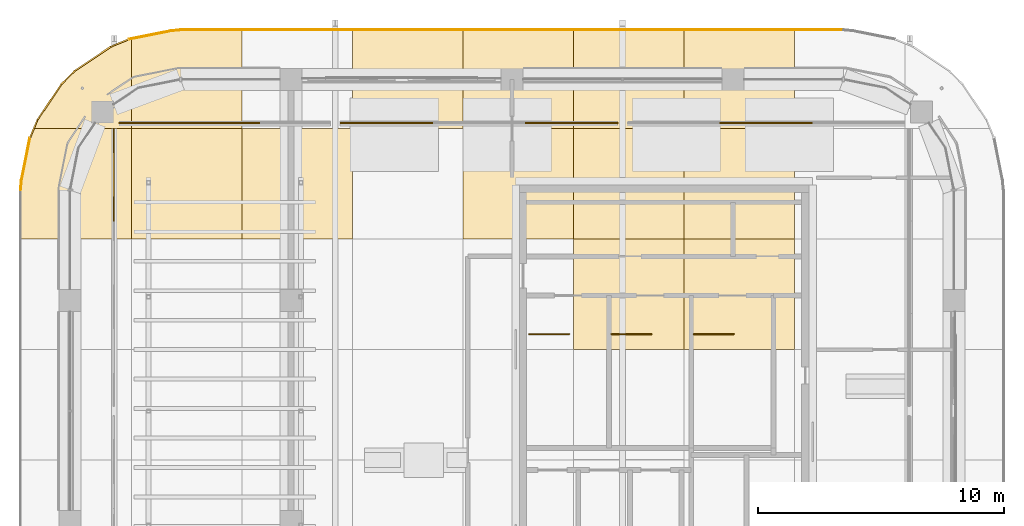
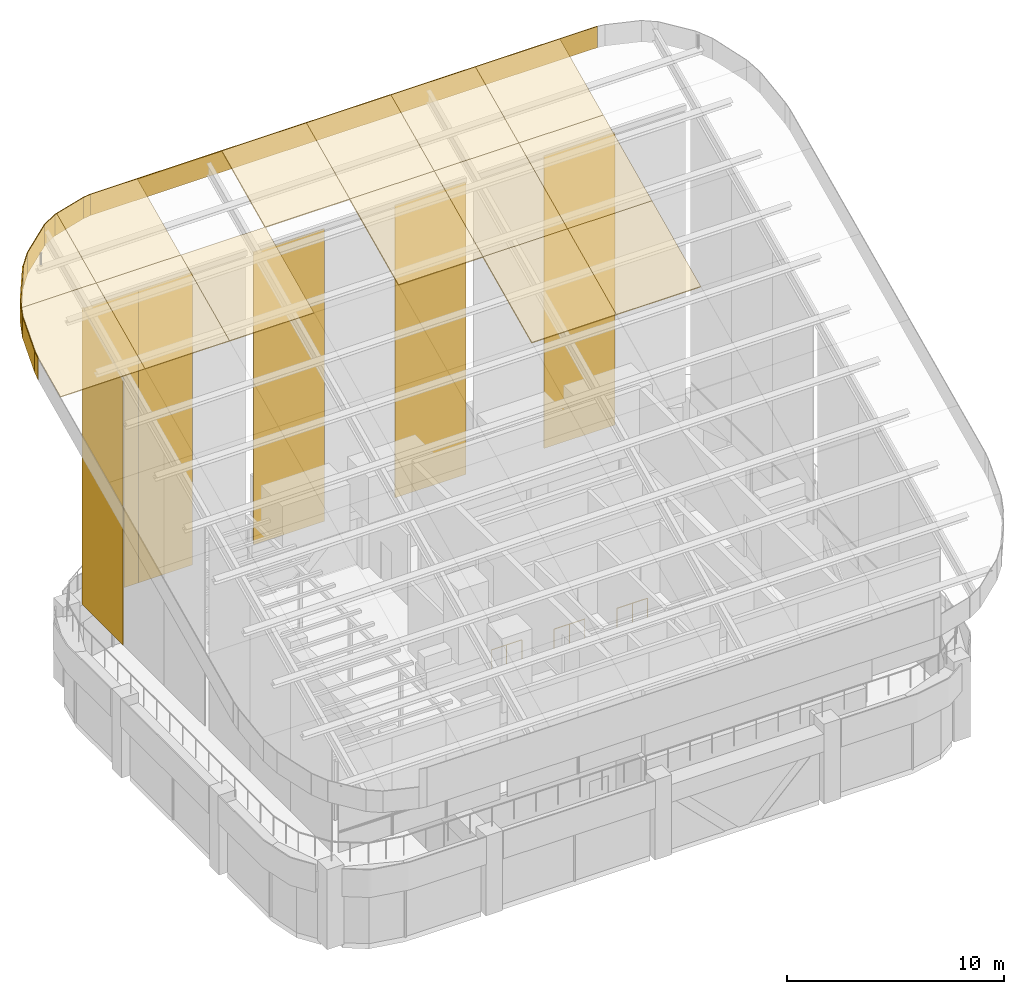
# One storey, part 30 of 31: 30 coverings, 3 railings.
"""IFC4 building model written with IfcOpenShell, lengths in metres."""

import ifcopenshell
import ifcopenshell.guid

model = None  # the IFC model being written
_history = None  # IfcOwnerHistory: only IFC2X3 demands one
_inside = {}  # id of a spatial element -> (the spatial element, [elements in it])
_under = {}  # id of a project, library or spatial element -> (it, [spatial elements below it])
_declared = {}  # id of a project -> (the project, [libraries it declares])
_typed = {}  # id of a type object -> (the type object, [elements of that type])
_made_of = {}  # id of a material, layer set ... -> (it, [elements and type objects made of it])


def new_model(schema):
    """Start an empty IFC model of exactly this schema.

    Asked for "IFC4X3", IfcOpenShell would pick the latest addendum, in which some entities
    have other attributes; the version numbers below select the first issue.
    IFC2X3 requires an IfcOwnerHistory on every rooted entity: one is made here for all.
    """
    global model, _history
    if schema == "IFC4X3":
        model = ifcopenshell.file(schema_version=(4, 3, 0, 0))
    else:
        model = ifcopenshell.file(schema=schema)
    _inside.clear()
    _under.clear()
    _declared.clear()
    _typed.clear()
    _made_of.clear()
    _history = None
    if model.schema == "IFC2X3":
        org = make("IfcOrganization", Name="unknown")
        user = make(
            "IfcPersonAndOrganization",
            ThePerson=make("IfcPerson", FamilyName="unknown"),
            TheOrganization=org,
        )
        app = make(
            "IfcApplication",
            ApplicationDeveloper=org,
            Version="unknown",
            ApplicationFullName="unknown",
            ApplicationIdentifier="unknown",
        )
        _history = make(
            "IfcOwnerHistory",
            OwningUser=user,
            OwningApplication=app,
            ChangeAction="ADDED",
            CreationDate=0,
        )
    return model


def make(cls, **values):
    """One entity of the class cls with the attributes given. An attribute that is None is left unset."""
    return model.create_entity(
        cls, **{name: value for name, value in values.items() if value is not None}
    )


def rooted(cls, **values):
    """An entity with a GlobalId (a new one), such as an element, a storey or a relation."""
    return make(cls, GlobalId=ifcopenshell.guid.new(), OwnerHistory=_history, **values)


def si_unit(unit_type, name, prefix=None):
    """IfcSIUnit, for example si_unit("LENGTHUNIT", "METRE", prefix="MILLI")."""
    return make("IfcSIUnit", UnitType=unit_type, Prefix=prefix, Name=name)


def assignment(units):
    """IfcUnitAssignment: the units of a project."""
    return None if units is None else make("IfcUnitAssignment", Units=units)


def point(xyz):
    """IfcCartesianPoint."""
    return None if xyz is None else make("IfcCartesianPoint", Coordinates=xyz)


def direction(xyz):
    """IfcDirection."""
    return None if xyz is None else make("IfcDirection", DirectionRatios=xyz)


def frame(location, z_axis=None, x_axis=None):
    """IfcAxis2Placement3D, a coordinate frame: its origin and axes. An axis left out is left unset."""
    return make(
        "IfcAxis2Placement3D",
        Location=point(location),
        Axis=direction(z_axis),
        RefDirection=direction(x_axis),
    )


def frame_2d(location, x_axis=None):
    """IfcAxis2Placement2D, a coordinate frame in the plane: its origin and x axis."""
    return make(
        "IfcAxis2Placement2D", Location=point(location), RefDirection=direction(x_axis)
    )


def origin():
    """The frame at (0, 0, 0) with its axes left unset."""
    return frame((0.0, 0.0, 0.0))


def origin_2d():
    """The frame at (0, 0) in the plane with its x axis left unset."""
    return frame_2d((0.0, 0.0))


def place(relative_to, where):
    """IfcLocalPlacement: puts the frame where relative to a parent placement (None: the world)."""
    return make(
        "IfcLocalPlacement", PlacementRelTo=relative_to, RelativePlacement=where
    )


def context(
    kind, dimensions, precision=None, world=None, true_north=None, identifier=None
):
    """IfcGeometricRepresentationContext, for example the 3D "Model" context."""
    return make(
        "IfcGeometricRepresentationContext",
        ContextIdentifier=identifier,
        ContextType=kind,
        CoordinateSpaceDimension=dimensions,
        Precision=precision,
        WorldCoordinateSystem=world,
        TrueNorth=true_north,
    )


def subcontext(parent, identifier, kind, view, scale=None):
    """IfcGeometricRepresentationSubContext, for example "Body" below "Model"."""
    return make(
        "IfcGeometricRepresentationSubContext",
        ContextIdentifier=identifier,
        ContextType=kind,
        ParentContext=parent,
        TargetScale=scale,
        TargetView=view,
    )


def project(units=None, contexts=None):
    """IfcProject with its units and contexts."""
    return rooted(
        "IfcProject",
        Name="project",
        RepresentationContexts=contexts,
        UnitsInContext=assignment(units),
    )


def spatial(cls, under=None, at=None, **own):
    """A site, building, storey or space (cls), placed at a placement, below another one or the project."""
    s = rooted(cls, ObjectPlacement=at, **own)
    if under is not None:
        _under.setdefault(under.id(), (under, []))[1].append(s)
    return s


def polyline(points):
    """IfcPolyline through the points."""
    return make("IfcPolyline", Points=[point(p) for p in points])


def profile(cls, at=None, kind="AREA", **sizes):
    """A parametric profile (cls). Its sizes go by their IFC names, for example OverallWidth=200.0."""
    return make(cls, ProfileType=kind, Position=at, **sizes)


def circle(**sizes):
    """IfcCircleProfileDef."""
    return profile("IfcCircleProfileDef", **sizes)


def outline(outer, holes=None, kind="AREA"):
    """IfcArbitraryClosedProfileDef: a profile drawn as a closed curve; with holes, ...WithVoids."""
    if holes is None:
        return make("IfcArbitraryClosedProfileDef", ProfileType=kind, OuterCurve=outer)
    return make(
        "IfcArbitraryProfileDefWithVoids",
        ProfileType=kind,
        OuterCurve=outer,
        InnerCurves=holes,
    )


def extrude(swept, where, along, depth):
    """IfcExtrudedAreaSolid: the profile swept, set in the frame where, extruded along a direction by depth."""
    return make(
        "IfcExtrudedAreaSolid",
        SweptArea=swept,
        Position=where,
        ExtrudedDirection=direction(along),
        Depth=depth,
    )


def shape(context_of_items, identifier, shape_type, items):
    """IfcShapeRepresentation: the items that make up one representation, for example the "Body"."""
    return make(
        "IfcShapeRepresentation",
        ContextOfItems=context_of_items,
        RepresentationIdentifier=identifier,
        RepresentationType=shape_type,
        Items=items,
    )


def material(Name=None, Category=None):
    """IfcMaterial."""
    return make("IfcMaterial", Name=Name, Category=Category)


def layer(
    of_material, thickness, ventilated=None, Name=None, Category=None, Priority=None
):
    """IfcMaterialLayer: one layer of a wall or slab, of a material (None: an air gap)."""
    return make(
        "IfcMaterialLayer",
        Material=of_material,
        LayerThickness=thickness,
        IsVentilated=ventilated,
        Name=Name,
        Category=Category,
        Priority=Priority,
    )


def layer_set(layers, Name=None):
    """IfcMaterialLayerSet."""
    return make("IfcMaterialLayerSet", MaterialLayers=layers, LayerSetName=Name)


def made_of(thing, what):
    """Note that an element or type object is made of a material, layer set ...; save() writes the relation."""
    if what is not None:
        _made_of.setdefault(what.id(), (what, []))[1].append(thing)
    return thing


def type_object(cls, material=None, **own):
    """A type object (cls), such as IfcWallType, which elements share."""
    return made_of(rooted(cls, **own), material)


def element(
    cls,
    number,
    at=None,
    inside=None,
    cuts=None,
    type_object=None,
    material=None,
    context=None,
    identifier="Body",
    shape_type=None,
    held_by="IfcProductDefinitionShape",
    body=None,
    shapes=None,
    **own,
):
    """One element of the class cls, such as IfcWall. Its Tag is "e" and its number.

    at: its placement. inside: the storey or other place that contains it. cuts: it is an
    opening in that element (IfcRelVoidsElement). A single representation is given by context,
    identifier, shape_type and body (its items); several are given by shapes. held_by: the class
    of the entity that holds the representations. save() writes the other relations.
    """
    e = rooted(cls, Tag="e%d" % number, ObjectPlacement=at, **own)
    if body is not None:
        shapes = [shape(context, identifier, shape_type, body)]
    if shapes is not None:
        e.Representation = make(held_by, Representations=shapes)
    if inside is not None:
        _inside.setdefault(inside.id(), (inside, []))[1].append(e)
    if cuts is not None:
        rooted(
            "IfcRelVoidsElement", RelatingBuildingElement=cuts, RelatedOpeningElement=e
        )
    if type_object is not None:
        _typed.setdefault(type_object.id(), (type_object, []))[1].append(e)
    return made_of(e, material)


def aggregate(whole, parts):
    """IfcRelAggregates: a whole, such as a stair, and the parts it consists of."""
    return rooted("IfcRelAggregates", RelatingObject=whole, RelatedObjects=parts)


def save(model, path):
    """Write the relations noted so far, then the file.

    IfcRelAggregates (storeys below a building ...), IfcRelContainedInSpatialStructure (elements
    in a storey), IfcRelDefinesByType, IfcRelAssociatesMaterial and IfcRelDeclares: one each for
    every whole, place, type object, material and project.
    """
    for whole, parts in _under.values():
        aggregate(whole, parts)
    for where, things in _inside.values():
        rooted(
            "IfcRelContainedInSpatialStructure",
            RelatedElements=things,
            RelatingStructure=where,
        )
    for kind, things in _typed.values():
        rooted("IfcRelDefinesByType", RelatedObjects=things, RelatingType=kind)
    for what, things in _made_of.values():
        rooted("IfcRelAssociatesMaterial", RelatedObjects=things, RelatingMaterial=what)
    for by, libraries in _declared.values():
        rooted("IfcRelDeclares", RelatingContext=by, RelatedDefinitions=libraries)
    model.write(path)


model = new_model("IFC4")

# Units and contexts
model_context = context("Model", 3, precision=1e-05, world=origin(), true_north=direction((0.0, 1.0)))
body_context = subcontext(model_context, "Body", "Model", "MODEL_VIEW")
ifc_project = project(units=[si_unit("LENGTHUNIT", "METRE"), si_unit("AREAUNIT", "SQUARE_METRE"), si_unit("VOLUMEUNIT", "CUBIC_METRE"), si_unit("PLANEANGLEUNIT", "RADIAN"), si_unit("MASSUNIT", "GRAM", prefix="KILO")], contexts=[model_context])

# Site, building, storey
site_placement = place(None, origin())
site = spatial("IfcSite", under=ifc_project, at=site_placement, CompositionType="ELEMENT")
building_placement = place(site_placement, origin())
building = spatial("IfcBuilding", under=site, at=building_placement, Name="Tessera Arch", CompositionType="ELEMENT")
storey_placement = place(building_placement, frame((0.0, 0.0, 320.699951171875)))
storey = spatial("IfcBuildingStorey", under=building, at=storey_placement, Name="L77", CompositionType="ELEMENT", Elevation=320.699951171875)

# Coverings
ifc_material_1 = material(Name="Aluminium cladding pale metal anodised", Category="aluminium")
ifc_layer_1 = layer(ifc_material_1, 0.0400390625)
ifc_layer_set_1 = layer_set([ifc_layer_1], Name="Canopy fascia pale metal")
covering_type_1 = type_object("IfcCoveringType", Name="Canopy fascia pale metal", PredefinedType="CLADDING", material=ifc_layer_set_1)
covering_1_placement = place(storey_placement, frame((49.5, 56.0, 24.199951171875), z_axis=(0.0, -1.0, 0.0), x_axis=(-1.0, 0.0, 0.0)))
element("IfcCovering", 1, at=covering_1_placement, inside=storey, type_object=covering_type_1, Name="CANOPY fascia 11", PredefinedType="CLADDING", context=body_context, shape_type="SweptSolid", body=[
    extrude(outline(polyline([(0.0, 0.0), (27.0, 0.0), (27.0, 1.199951171875), (0.0, 1.199951171875), (0.0, 0.0)])), origin(), (0.0, 0.0, -1.0), 0.0400390625),
])
covering_2_placement = place(storey_placement, frame((22.5, 56.0, 24.199951171875), z_axis=(0.097777040176, -0.99520834523, 0.0), x_axis=(-0.994181437068, -0.097676148698, -0.045416298439)))
element("IfcCovering", 2, at=covering_2_placement, inside=storey, type_object=covering_type_1, Name="CANOPY fascia 12", PredefinedType="CLADDING", context=body_context, shape_type="SweptSolid", body=[
    extrude(outline(polyline([(0.0, 0.0), (0.39242003944509934, 0.0), (0.44691737997956055, 1.198712999328387), (0.05449734053446123, 1.1987129993283867), (0.0, 0.0)])), origin(), (0.0, 0.0, -1.0), 0.0400390625),
])
covering_3_placement = place(storey_placement, frame((22.10986328125, 55.961669921875, 24.18212890625), z_axis=(0.195206967348, -0.980762070993, 0.0), x_axis=(-0.976732464869, -0.194404930632, -0.090556142901)))
element("IfcCovering", 3, at=covering_3_placement, inside=storey, type_object=covering_type_1, Name="CANOPY fascia 13", PredefinedType="CLADDING", context=body_context, shape_type="SweptSolid", body=[
    extrude(outline(polyline([(0.0, 0.0), (1.7631931267699572, 2.7755575615628914e-17), (1.8718560765646002, 1.1950209948892583), (0.10866294979464294, 1.1950209948892583), (0.0, 0.0)])), origin(), (0.0, 0.0, -1.0), 0.0400390625),
])
covering_4_placement = place(storey_placement, frame((20.3876953125, 55.618896484375, 24.0224609375), z_axis=(0.382637325897, -0.923898629088, 0.0), x_axis=(-0.909499309313, -0.376673774226, -0.175863225743)))
element("IfcCovering", 4, at=covering_4_placement, inside=storey, type_object=covering_type_1, Name="CANOPY fascia 14", PredefinedType="CLADDING", context=body_context, shape_type="SweptSolid", body=[
    extrude(outline(polyline([(0.0, 0.0), (0.7926858857861844, 0.0), (1.0037131696057522, 1.1812494657640786), (0.2110272838195678, 1.1812494657640786), (0.0, 0.0)])), origin(), (0.0, 0.0, -1.0), 0.0400390625),
])
covering_5_placement = place(storey_placement, frame((19.666748046875, 55.3203125, 23.883056640625), z_axis=(0.555502146192, -0.831515102434, 0.0), x_axis=(-0.80494515218, -0.537751819893, -0.250771374333)))
element("IfcCovering", 5, at=covering_5_placement, inside=storey, type_object=covering_type_1, Name="CANOPY fascia 15", PredefinedType="CLADDING", context=body_context, shape_type="SweptSolid", body=[
    extrude(outline(polyline([(0.0, 0.0), (1.8137396486540374, 0.0), (2.114653053157476, 1.1616083409972293), (0.3009134045034385, 1.1616083409972293), (0.0, 0.0)])), origin(), (0.0, 0.0, -1.0), 0.0400390625),
])
covering_6_placement = place(storey_placement, frame((18.206787109375, 54.344970703125, 23.42822265625), z_axis=(0.707106781187, -0.707106781187, 0.0), x_axis=(-0.671533892483, -0.671533892483, -0.313184390565)))
element("IfcCovering", 6, at=covering_6_placement, inside=storey, type_object=covering_type_1, Name="CANOPY fascia 16", PredefinedType="CLADDING", context=body_context, shape_type="SweptSolid", body=[
    extrude(outline(polyline([(0.0, 0.0), (0.821638071698767, 2.7755575615628914e-17), (1.1974440481702255, 1.1395844343147723), (0.3758059764714585, 1.1395844343147723), (0.0, 0.0)])), origin(), (0.0, 0.0, -1.0), 0.0400390625),
])
covering_7_placement = place(storey_placement, frame((17.655029296875, 53.793212890625, 23.1708984375), z_axis=(0.831515102434, -0.555502146192, 0.0), x_axis=(-0.517943637135, -0.775294856086, -0.361458538256)))
element("IfcCovering", 7, at=covering_7_placement, inside=storey, type_object=covering_type_1, Name="CANOPY fascia 17", PredefinedType="CLADDING", context=body_context, shape_type="SweptSolid", body=[
    extrude(outline(polyline([(0.0, 0.0), (1.8831041197279126, 0.0), (2.3168367162919763, 1.118820293685264), (0.4337325965640638, 1.118820293685264), (0.0, 0.0)])), origin(), (0.0, 0.0, -1.0), 0.0400390625),
])
covering_8_placement = place(storey_placement, frame((16.6796875, 52.333251953125, 22.490234375), z_axis=(0.923898629088, -0.382637325897, 0.0), x_axis=(-0.35141259642, -0.848504821935, -0.395662424587)))
element("IfcCovering", 8, at=covering_8_placement, inside=storey, type_object=covering_type_1, Name="CANOPY fascia 18", PredefinedType="CLADDING", context=body_context, shape_type="SweptSolid", body=[
    extrude(outline(polyline([(0.0, 0.0), (0.8496678474737825, 0.0), (1.324443437523724, 1.1020303779737268), (0.4747755900499415, 1.102030377973727), (0.0, 0.0)])), origin(), (0.0, 0.0, -1.0), 0.0400390625),
])
covering_9_placement = place(storey_placement, frame((16.381103515625, 51.6123046875, 22.154052734375), z_axis=(0.980762070993, -0.195206967348, 0.0), x_axis=(-0.17751651349, -0.8918814004, -0.415975305829)))
element("IfcCovering", 9, at=covering_9_placement, inside=storey, type_object=covering_type_1, Name="CANOPY fascia 19", PredefinedType="CLADDING", context=body_context, shape_type="SweptSolid", body=[
    extrude(outline(polyline([(0.0, 0.0), (1.930938315316513, 1.1102230246251565e-16), (2.430088371016635, 1.0912066883861877), (0.49915005570012233, 1.0912066883861877), (0.0, 0.0)])), origin(), (0.0, 0.0, -1.0), 0.0400390625),
])
covering_10_placement = place(storey_placement, frame((16.038330078125, 49.89013671875, 21.350830078125), z_axis=(0.99520834523, -0.097777040176, 0.0), x_axis=(-0.088695214373, -0.902770398526, -0.42087856502)))
element("IfcCovering", 10, at=covering_10_placement, inside=storey, type_object=covering_type_1, Name="CANOPY fascia 20", PredefinedType="CLADDING", context=body_context, shape_type="SweptSolid", body=[
    extrude(outline(polyline([(0.0, 0.0), (0.43215497471687914, 0.0), (0.9371887020294343, 1.0884960951519183), (0.5050337273125551, 1.0884960951519183), (0.0, 0.0)])), origin(), (0.0, 0.0, -1.0), 0.0400390625),
])
ifc_material_2 = material(Name="Aluminium cladding pale metal anodised", Category="aluminium")
ifc_layer_2 = layer(ifc_material_2, 0.080078125)
ifc_layer_set_2 = layer_set([ifc_layer_2], Name="Canopy panel pale metal")
covering_type_2 = type_object("IfcCoveringType", Name="Canopy panel pale metal", PredefinedType="CLADDING", material=ifc_layer_set_2)
covering_11_placement = place(storey_placement, frame((16.0, 47.5, 20.236328125), z_axis=(-1.9101672e-05, -0.422657084808, 0.906289682329), x_axis=(0.999999999818, -8.073457e-06, 1.7311649e-05)))
element("IfcCovering", 11, at=covering_11_placement, inside=storey, type_object=covering_type_2, Name="CANOPY panel 1-6", PredefinedType="CLADDING", context=body_context, shape_type="SweptSolid", body=[
    extrude(outline(polyline([(0.0, 0.0), (4.499999999179034, 3.8116482626443515e-21), (4.499999999415576, 4.96530559800183), (0.541503906387752, 4.96530559800183), (0.3811035140142726, 4.537479202566889), (0.0383300753177634, 2.6372083945615366), (-1.773304165079379e-09, 2.2067566267719845), (0.0, 0.0)])), origin(), (0.0, 0.0, -1.0), 0.080078125),
])
covering_12_placement = place(storey_placement, frame((16.54150390625, 52.0, 22.3349609375), z_axis=(-6.5076888e-05, -0.422562297575, 0.906333879116), x_axis=(0.999999997882, -2.7499039e-05, 5.8981388e-05)))
element("IfcCovering", 12, at=covering_12_placement, inside=storey, type_object=covering_type_2, Name="CANOPY panel 1-7", PredefinedType="CLADDING", context=body_context, shape_type="SweptSolid", body=[
    extrude(outline(polyline([(0.0, 0.0), (3.958496085367882, 0.0), (3.958496101819194, 4.01779556188821), (3.846191413021823, 3.9930023744152074), (3.1252441374371833, 3.663478592937661), (1.6652831972512032, 2.5872975829806393), (1.1135253813896517, 1.9784852700592006), (0.13818358759175262, 0.36765023667957364), (0.0, 0.0)])), origin(), (0.0, 0.0, -1.0), 0.080078125),
])
covering_13_placement = place(storey_placement, frame((25.0, 47.5, 20.236328125), z_axis=(0.0, -0.422659345144, 0.906288628397), x_axis=(0.0, 0.906288628397, 0.422659345144)))
element("IfcCovering", 13, at=covering_13_placement, inside=storey, type_object=covering_type_2, Name="CANOPY panel 2-6", PredefinedType="CLADDING", context=body_context, shape_type="SweptSolid", body=[
    extrude(outline(polyline([(0.0, 0.0), (4.965305598017272, 0.0), (4.965305598017272, 4.5), (0.0, 4.5), (0.0, 0.0)])), origin(), (0.0, 0.0, -1.0), 0.080078125),
])
covering_14_placement = place(storey_placement, frame((20.5, 55.641357421875, 24.032958984375), z_axis=(2.320957e-05, -0.422583182372, 0.906324143691), x_axis=(9.26e-10, -0.906324143935, -0.422583182486)))
element("IfcCovering", 14, at=covering_14_placement, inside=storey, type_object=covering_type_2, Name="CANOPY panel 2-7", PredefinedType="CLADDING", context=body_context, shape_type="SweptSolid", body=[
    extrude(outline(polyline([(0.0, 0.0), (4.017795566646659, 0.0), (4.017795570811553, 4.49999999878796), (-0.39561451347703414, 4.500000003964777), (-0.39561451579086426, 2.0000000046381325), (-0.3533436511814122, 1.609863284912055), (0.0, 0.0)])), origin(), (0.0, 0.0, -1.0), 0.080078125),
])
covering_15_placement = place(storey_placement, frame((29.5, 47.5, 20.236328125), z_axis=(0.0, -0.422659345144, 0.906288628397), x_axis=(0.0, 0.906288628397, 0.422659345144)))
element("IfcCovering", 15, at=covering_15_placement, inside=storey, type_object=covering_type_2, Name="CANOPY panel 3-6", PredefinedType="CLADDING", context=body_context, shape_type="SweptSolid", body=[
    extrude(outline(polyline([(0.0, 0.0), (4.965305598017272, 0.0), (4.965305598017272, 4.5), (0.0, 4.5), (0.0, 0.0)])), origin(), (0.0, 0.0, -1.0), 0.080078125),
])
covering_16_placement = place(storey_placement, frame((29.5, 56.0, 24.199951171875), z_axis=(0.0, -0.422573519943, 0.906328649135), x_axis=(0.0, -0.906328649135, -0.422573519943)))
element("IfcCovering", 16, at=covering_16_placement, inside=storey, type_object=covering_type_2, Name="CANOPY panel 4-7", PredefinedType="CLADDING", context=body_context, shape_type="SweptSolid", body=[
    extrude(outline(polyline([(0.0, 0.0), (4.4134100845394055, 0.0), (4.4134100845394055, 4.5), (0.0, 4.5), (0.0, 0.0)])), origin(), (0.0, 0.0, -1.0), 0.080078125),
])
covering_17_placement = place(storey_placement, frame((38.5, 47.5, 20.236328125), z_axis=(0.0, -0.422659345144, 0.906288628397), x_axis=(0.0, 0.906288628397, 0.422659345144)))
element("IfcCovering", 17, at=covering_17_placement, inside=storey, type_object=covering_type_2, Name="CANOPY panel 5-6", PredefinedType="CLADDING", context=body_context, shape_type="SweptSolid", body=[
    extrude(outline(polyline([(0.0, 0.0), (4.965305598017272, 0.0), (4.965305598017272, 4.5), (0.0, 4.5), (0.0, 0.0)])), origin(), (0.0, 0.0, -1.0), 0.080078125),
])
covering_18_placement = place(storey_placement, frame((34.0, 56.0, 24.199951171875), z_axis=(0.0, -0.422573519943, 0.906328649135), x_axis=(0.0, -0.906328649135, -0.422573519943)))
element("IfcCovering", 18, at=covering_18_placement, inside=storey, type_object=covering_type_2, Name="CANOPY panel 5-7", PredefinedType="CLADDING", context=body_context, shape_type="SweptSolid", body=[
    extrude(outline(polyline([(0.0, 0.0), (4.4134100845394055, 0.0), (4.4134100845394055, 4.5), (0.0, 4.5), (0.0, 0.0)])), origin(), (0.0, 0.0, -1.0), 0.080078125),
])
covering_19_placement = place(storey_placement, frame((43.0, 43.0, 18.137939453125), z_axis=(0.0, -0.422618958231, 0.906307462258), x_axis=(0.0, 0.906307462258, 0.422618958231)))
element("IfcCovering", 19, at=covering_19_placement, inside=storey, type_object=covering_type_2, Name="CANOPY panel 6-5", PredefinedType="CLADDING", context=body_context, shape_type="SweptSolid", body=[
    extrude(outline(polyline([(0.0, 0.0), (4.965202414630578, 0.0), (4.965202414630578, 4.5), (0.0, 4.5), (0.0, 0.0)])), origin(), (0.0, 0.0, -1.0), 0.080078125),
])
covering_20_placement = place(storey_placement, frame((43.0, 47.5, 20.236328125), z_axis=(0.0, -0.422659345144, 0.906288628397), x_axis=(0.0, 0.906288628397, 0.422659345144)))
element("IfcCovering", 20, at=covering_20_placement, inside=storey, type_object=covering_type_2, Name="CANOPY panel 6-6", PredefinedType="CLADDING", context=body_context, shape_type="SweptSolid", body=[
    extrude(outline(polyline([(0.0, 0.0), (4.965305598017272, 0.0), (4.965305598017272, 4.5), (0.0, 4.5), (0.0, 0.0)])), origin(), (0.0, 0.0, -1.0), 0.080078125),
])
covering_21_placement = place(storey_placement, frame((38.5, 56.0, 24.199951171875), z_axis=(0.0, -0.422573519943, 0.906328649135), x_axis=(0.0, -0.906328649135, -0.422573519943)))
element("IfcCovering", 21, at=covering_21_placement, inside=storey, type_object=covering_type_2, Name="CANOPY panel 6-7", PredefinedType="CLADDING", context=body_context, shape_type="SweptSolid", body=[
    extrude(outline(polyline([(0.0, 0.0), (4.4134100845394055, 0.0), (4.4134100845394055, 4.5), (0.0, 4.5), (0.0, 0.0)])), origin(), (0.0, 0.0, -1.0), 0.080078125),
])
covering_22_placement = place(storey_placement, frame((47.5, 43.0, 18.137939453125), z_axis=(0.0, -0.422618958231, 0.906307462258), x_axis=(0.0, 0.906307462258, 0.422618958231)))
element("IfcCovering", 22, at=covering_22_placement, inside=storey, type_object=covering_type_2, Name="CANOPY panel 7-5", PredefinedType="CLADDING", context=body_context, shape_type="SweptSolid", body=[
    extrude(outline(polyline([(0.0, 0.0), (4.965202414630578, 0.0), (4.965202414630578, 4.5), (0.0, 4.5), (0.0, 0.0)])), origin(), (0.0, 0.0, -1.0), 0.080078125),
])
covering_23_placement = place(storey_placement, frame((47.5, 47.5, 20.236328125), z_axis=(0.0, -0.422659345144, 0.906288628397), x_axis=(0.0, 0.906288628397, 0.422659345144)))
element("IfcCovering", 23, at=covering_23_placement, inside=storey, type_object=covering_type_2, Name="CANOPY panel 7-6", PredefinedType="CLADDING", context=body_context, shape_type="SweptSolid", body=[
    extrude(outline(polyline([(0.0, 0.0), (4.965305598017272, 0.0), (4.965305598017272, 4.5), (0.0, 4.5), (0.0, 0.0)])), origin(), (0.0, 0.0, -1.0), 0.080078125),
])
covering_24_placement = place(storey_placement, frame((43.0, 56.0, 24.199951171875), z_axis=(0.0, -0.422573519943, 0.906328649135), x_axis=(0.0, -0.906328649135, -0.422573519943)))
element("IfcCovering", 24, at=covering_24_placement, inside=storey, type_object=covering_type_2, Name="CANOPY panel 7-7", PredefinedType="CLADDING", context=body_context, shape_type="SweptSolid", body=[
    extrude(outline(polyline([(0.0, 0.0), (4.4134100845394055, 0.0), (4.4134100845394055, 4.5), (0.0, 4.5), (0.0, 0.0)])), origin(), (0.0, 0.0, -1.0), 0.080078125),
])
ifc_material_3 = material(Name="Aluminium cladding pale metal anodised", Category="aluminium")
ifc_layer_3 = layer(ifc_material_3, 0.050048828125)
ifc_layer_set_3 = layer_set([ifc_layer_3], Name="Crown screen panel pale metal")
covering_type_3 = type_object("IfcCoveringType", Name="Crown screen panel pale metal", PredefinedType="CLADDING", material=ifc_layer_set_3)
for number, where, z_axis, x_axis, name in (
    (25, (20.0, 52.199951171875, 4.5), (0.0, -1.0, 0.0), (1.0, 0.0, 0.0), "CROWN screen N4-1"),
    (26, (22.86669921875, 52.199951171875, 4.5), (0.0, -1.0, 0.0), (1.0, 0.0, 0.0), "CROWN screen N4-2"),
):
    element("IfcCovering", number, at=place(storey_placement, frame(where, z_axis=z_axis, x_axis=x_axis)), inside=storey, type_object=covering_type_3, Name=name, PredefinedType="CLADDING", context=body_context, shape_type="SweptSolid", body=[
        extrude(outline(polyline([(0.0, 0.0), (2.86669921875, 0.0), (2.86669921875, 16.467529296875), (0.0, 16.467529296875), (0.0, 0.0)])), origin(), (0.0, 0.0, -1.0), 0.050048828125),
    ])
covering_25_placement = place(storey_placement, frame((29.0, 52.199951171875, 4.5), z_axis=(0.0, -1.0, 0.0), x_axis=(1.0, 0.0, 0.0)))
element("IfcCovering", 27, at=covering_25_placement, inside=storey, type_object=covering_type_3, Name="CROWN screen N5-1", PredefinedType="CLADDING", context=body_context, shape_type="SweptSolid", body=[
    extrude(outline(polyline([(0.0, 0.0), (3.7666015625, 0.0), (3.7666015625, 16.467529296875), (0.0, 16.467529296875), (0.0, 0.0)])), origin(), (0.0, 0.0, -1.0), 0.050048828125),
])
covering_26_placement = place(storey_placement, frame((36.533203125, 52.199951171875, 4.5), z_axis=(0.0, -1.0, 0.0), x_axis=(1.0, 0.0, 0.0)))
element("IfcCovering", 28, at=covering_26_placement, inside=storey, type_object=covering_type_3, Name="CROWN screen N5-3", PredefinedType="CLADDING", context=body_context, shape_type="SweptSolid", body=[
    extrude(outline(polyline([(0.0, 0.0), (3.766845703125, 0.0), (3.766845703125, 16.467529296875), (0.0, 16.467529296875), (0.0, 0.0)])), origin(), (0.0, 0.0, -1.0), 0.050048828125),
])
covering_27_placement = place(storey_placement, frame((44.466796875, 52.199951171875, 4.5), z_axis=(0.0, -1.0, 0.0), x_axis=(1.0, 0.0, 0.0)))
element("IfcCovering", 29, at=covering_27_placement, inside=storey, type_object=covering_type_3, Name="CROWN screen N6-2", PredefinedType="CLADDING", context=body_context, shape_type="SweptSolid", body=[
    extrude(outline(polyline([(0.0, 0.0), (3.7666015625, 0.0), (3.7666015625, 16.467529296875), (0.0, 16.467529296875), (0.0, 0.0)])), origin(), (0.0, 0.0, -1.0), 0.050048828125),
])
covering_28_placement = place(storey_placement, frame((19.800048828125, 48.2333984375, 4.5), z_axis=(1.0, 0.0, 0.0), x_axis=(0.0, 1.0, 0.0)))
element("IfcCovering", 30, at=covering_28_placement, inside=storey, type_object=covering_type_3, Name="CROWN screen W8-3", PredefinedType="CLADDING", context=body_context, shape_type="SweptSolid", body=[
    extrude(outline(polyline([(0.0, 0.0), (3.7666015625, 0.0), (3.7666015625, 16.7255859375), (0.0, 14.96923828125), (0.0, 0.0)])), origin(), (0.0, 0.0, -1.0), 0.050048828125),
])

# Railings
ifc_material_4 = material(Name="Painted steel balustrade", Category="steel")
railing_type = type_object("IfcRailingType", Name="Stair guard 1100", PredefinedType="GUARDRAIL", material=ifc_material_4)
railing_1_placement = place(storey_placement, frame((36.699951171875, 43.6298828125, 0.0)))
element("IfcRailing", 31, at=railing_1_placement, inside=storey, type_object=railing_type, Name="L77 S1a top well guard 1", PredefinedType="GUARDRAIL", context=body_context, shape_type="SweptSolid", body=[
    extrude(circle(Radius=0.02392578125, at=origin_2d()), frame((-0.00390625, 0.0, 1.076171875), z_axis=(1.0, 0.0, 0.0), x_axis=(0.0, 1.0, 0.0)), (0.0, 0.0, 1.0), 1.63818359375),
    extrude(circle(Radius=0.02099609375, at=origin_2d()), origin(), (0.0, 0.0, 1.0), 1.06396484375),
    extrude(circle(Radius=0.02099609375, at=origin_2d()), frame((0.81494140625, 0.0, 0.0)), (0.0, 0.0, 1.0), 1.06396484375),
    extrude(circle(Radius=0.02099609375, at=origin_2d()), frame((1.630126953125, 0.0, 0.0)), (0.0, 0.0, 1.0), 1.06396484375),
])
railing_2_placement = place(storey_placement, frame((40.050048828125, 43.6298828125, 0.0)))
element("IfcRailing", 32, at=railing_2_placement, inside=storey, type_object=railing_type, Name="L77 S1b top well guard 1", PredefinedType="GUARDRAIL", context=body_context, shape_type="SweptSolid", body=[
    extrude(circle(Radius=0.02392578125, at=origin_2d()), frame((-0.00390625, 0.0, 1.076171875), z_axis=(1.0, 0.0, 0.0), x_axis=(0.0, 1.0, 0.0)), (0.0, 0.0, 1.0), 1.637939453125),
    extrude(circle(Radius=0.02099609375, at=origin_2d()), origin(), (0.0, 0.0, 1.0), 1.06396484375),
    extrude(circle(Radius=0.02099609375, at=origin_2d()), frame((0.81494140625, 0.0, 0.0)), (0.0, 0.0, 1.0), 1.06396484375),
    extrude(circle(Radius=0.02099609375, at=origin_2d()), frame((1.6298828125, 0.0, 0.0)), (0.0, 0.0, 1.0), 1.06396484375),
])
railing_3_placement = place(storey_placement, frame((43.39990234375, 43.6298828125, 0.0)))
element("IfcRailing", 33, at=railing_3_placement, inside=storey, type_object=railing_type, Name="L77 S1c top well guard 1", PredefinedType="GUARDRAIL", context=body_context, shape_type="SweptSolid", body=[
    extrude(circle(Radius=0.02392578125, at=origin_2d()), frame((-0.00390625, 0.0, 1.076171875), z_axis=(1.0, 0.0, 0.0), x_axis=(0.0, 1.0, 0.0)), (0.0, 0.0, 1.0), 1.63818359375),
    extrude(circle(Radius=0.02099609375, at=origin_2d()), origin(), (0.0, 0.0, 1.0), 1.06396484375),
    extrude(circle(Radius=0.02099609375, at=origin_2d()), frame((0.81494140625, 0.0, 0.0)), (0.0, 0.0, 1.0), 1.06396484375),
    extrude(circle(Radius=0.02099609375, at=origin_2d()), frame((1.630126953125, 0.0, 0.0)), (0.0, 0.0, 1.0), 1.06396484375),
])

save(model, "model.ifc")
